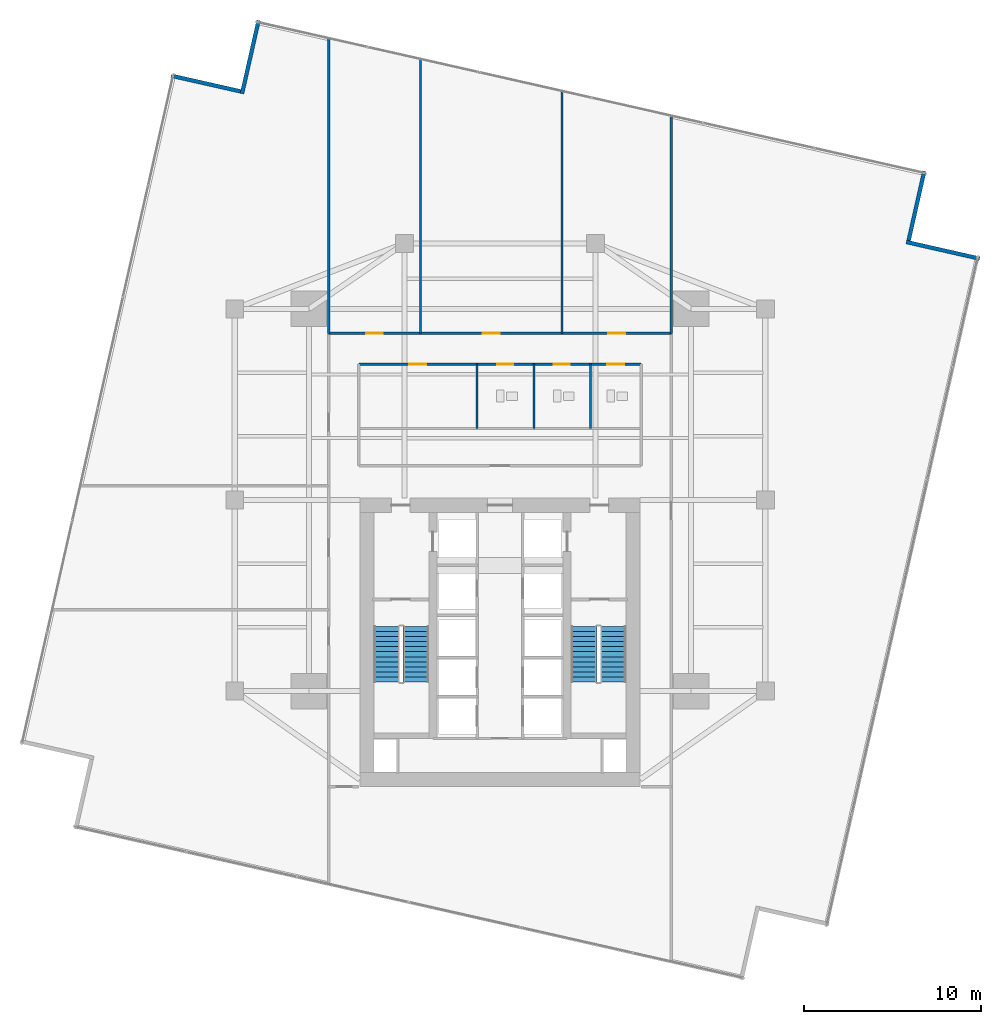
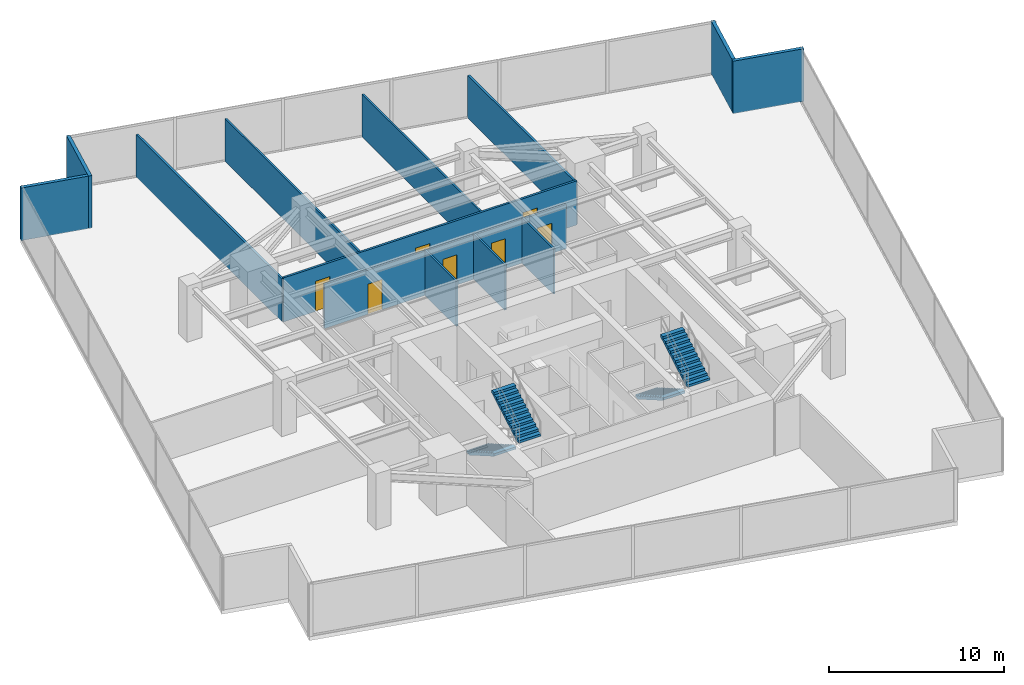
# One storey, part 24 of 27: 13 walls, 7 doors, 4 stair flights, 7 openings, 2 elements without a shape of their own.
"""IFC4 building model written with IfcOpenShell, lengths in metres."""

from ifc_helpers import new_model, si_unit, direction, frame, frame_2d, origin, place, context, subcontext, project, spatial, polyline, rectangle, outline, extrude, material, layer, layer_set, type_object, element, fill, aggregate, save


model = new_model("IFC4")

# Units and contexts
model_context = context("Model", 3, precision=1e-05, world=origin(), true_north=direction((0.0, 1.0)))
body_context = subcontext(model_context, "Body", "Model", "MODEL_VIEW")
ifc_project = project(units=[si_unit("LENGTHUNIT", "METRE"), si_unit("AREAUNIT", "SQUARE_METRE"), si_unit("VOLUMEUNIT", "CUBIC_METRE"), si_unit("PLANEANGLEUNIT", "RADIAN"), si_unit("MASSUNIT", "GRAM", prefix="KILO")], contexts=[model_context])

# Site, building, storey
site_placement = place(None, origin())
site = spatial("IfcSite", under=ifc_project, at=site_placement, CompositionType="ELEMENT")
building_placement = place(site_placement, origin())
building = spatial("IfcBuilding", under=site, at=building_placement, Name="Krantzveldt Concourse Tower", CompositionType="ELEMENT")
storey_placement = place(building_placement, frame((0.0, 0.0, 86.10009765625)))
storey = spatial("IfcBuildingStorey", under=building, at=storey_placement, Name="L20", CompositionType="ELEMENT", Elevation=86.10009765625)

# Walls
ifc_material_1 = material(Name="Anodised aluminium 6063-T6", Category="aluminium")
ifc_layer_1 = layer(ifc_material_1, 0.219970703125, Name="Anodised aluminium 6063-T6", Category="aluminium")
ifc_layer_set_1 = layer_set([ifc_layer_1], Name="Anodised aluminium 6063-T6 (WL-EXT-NOTCH220)")
wall_type_1 = type_object("IfcWallType", Name="WL-EXT-NOTCH220", PredefinedType="ELEMENTEDWALL", material=ifc_layer_set_1)
wall_1_placement = place(storey_placement, frame((21.335693359375, 49.7958984375, 0.0), z_axis=(0.0, 0.0, 1.0), x_axis=(-0.975349272951, 0.2206667074, 0.0)))
element("IfcWall", 1, at=wall_1_placement, inside=storey, type_object=wall_type_1, Name="EW-L20-NCH00", PredefinedType="ELEMENTEDWALL", context=body_context, shape_type="SweptSolid", body=[
    extrude(rectangle(XDim=4.02490234375, YDim=0.219970703125, at=frame_2d((2.012451171875, 0.0))), origin(), (0.0, 0.0, 1.0), 3.669921875),
])
wall_2_placement = place(storey_placement, frame((63.104736328125, 40.344482421875, 0.0), z_axis=(0.0, 0.0, 1.0), x_axis=(-0.975335262593, 0.220728624202, 0.0)))
element("IfcWall", 2, at=wall_2_placement, inside=storey, type_object=wall_type_1, Name="EW-L20-NCH08", PredefinedType="ELEMENTEDWALL", context=body_context, shape_type="SweptSolid", body=[
    extrude(rectangle(XDim=4.2451171875, YDim=0.219970703125, at=frame_2d((2.12255859375, 0.0))), origin(), (0.0, 0.0, 1.0), 3.669921875),
])
wall_3_placement = place(storey_placement, frame((59.095947265625, 41.364501953125, 0.0), z_axis=(0.0, 0.0, 1.0), x_axis=(0.220679762979, 0.975346319115, 0.0)))
element("IfcWall", 3, at=wall_3_placement, inside=storey, type_object=wall_type_1, Name="EW-L20-NCH09", PredefinedType="ELEMENTEDWALL", context=body_context, shape_type="SweptSolid", body=[
    extrude(rectangle(XDim=4.024658203125, YDim=0.219970703125, at=frame_2d((2.01220703125, 0.0))), origin(), (0.0, 0.0, 1.0), 3.669921875),
])
wall_4_placement = place(storey_placement, frame((22.35546875, 53.8046875, 0.0), z_axis=(0.0, 0.0, 1.0), x_axis=(-0.220673913812, -0.975347642517, 0.0)))
element("IfcWall", 4, at=wall_4_placement, inside=storey, type_object=wall_type_1, Name="EW-L20-NCH11", PredefinedType="ELEMENTEDWALL", context=body_context, shape_type="SweptSolid", body=[
    extrude(rectangle(XDim=4.2451171875, YDim=0.219970703125, at=frame_2d((2.12255859375, 0.0))), origin(), (0.0, 0.0, 1.0), 3.669921875),
])
ifc_material_2 = material(Name="Fire-rated gypsum plasterboard on steel stud", Category="steel")
ifc_layer_2 = layer(ifc_material_2, 0.1201171875, Name="Fire-rated gypsum plasterboard on steel stud", Category="steel")
ifc_layer_set_2 = layer_set([ifc_layer_2], Name="Fire-rated gypsum plasterboard on steel stud (WL-PART-120)")
wall_type_2 = type_object("IfcWallType", Name="WL-PART-120", PredefinedType="PARTITIONING", material=ifc_layer_set_2)
for number, where, z_axis, x_axis, name in (
    (5, (37.919921875, 30.739990234375, 0.0), (0.0, 0.0, 1.0), (0.0, 1.0, 0.0), "WP-L20-WCD1"),
    (6, (41.1201171875, 30.739990234375, 0.0), (0.0, 0.0, 1.0), (0.0, 1.0, 0.0), "WP-L20-WCD2"),
    (7, (34.699951171875, 30.739990234375, 0.0), (0.0, 0.0, 1.0), (0.0, 1.0, 0.0), "WP-L20-WCD3"),
):
    element("IfcWall", number, at=place(storey_placement, frame(where, z_axis=z_axis, x_axis=x_axis)), inside=storey, type_object=wall_type_2, Name=name, PredefinedType="PARTITIONING", context=body_context, shape_type="SweptSolid", body=[
        extrude(rectangle(XDim=3.639892578125, YDim=0.1201171875, at=frame_2d((1.81982421875, 0.0))), origin(), (0.0, 0.0, 1.0), 3.169921875),
    ])
wall_5_placement = place(storey_placement, frame((31.5, 36.1201171875, 0.0), z_axis=(0.0, 0.0, 1.0), x_axis=(0.0, 1.0, 0.0)))
element("IfcWall", 8, at=wall_5_placement, inside=storey, type_object=wall_type_2, Name="WP-L20-ND1", PredefinedType="PARTITIONING", context=body_context, shape_type="SweptSolid", body=[
    extrude(rectangle(XDim=15.497314453125, YDim=0.1201171875, at=frame_2d((7.74853515625, 0.0))), origin(), (0.0, 0.0, 1.0), 2.969970703125),
])
wall_6_placement = place(storey_placement, frame((39.5, 36.1201171875, 0.0), z_axis=(0.0, 0.0, 1.0), x_axis=(0.0, 1.0, 0.0)))
element("IfcWall", 9, at=wall_6_placement, inside=storey, type_object=wall_type_2, Name="WP-L20-ND2", PredefinedType="PARTITIONING", context=body_context, shape_type="SweptSolid", body=[
    extrude(rectangle(XDim=13.687255859375, YDim=0.1201171875, at=frame_2d((6.84375, 0.0))), origin(), (0.0, 0.0, 1.0), 2.969970703125),
])

# Wall, openings, doors
ifc_layer_3 = layer(ifc_material_2, 0.139892578125, Name="Fire-rated gypsum plasterboard on steel stud", Category="steel")
ifc_layer_set_3 = layer_set([ifc_layer_3], Name="Fire-rated gypsum plasterboard on steel stud (WL-PART-140)")
wall_type_3 = type_object("IfcWallType", Name="WL-PART-140", PredefinedType="PARTITIONING", material=ifc_layer_set_3)
wall_7_placement = place(storey_placement, frame((28.02001953125, 34.3798828125, 0.0), z_axis=(0.0, 0.0, 1.0), x_axis=(1.0, 0.0, 0.0)))
wall_7 = element("IfcWall", 10, at=wall_7_placement, inside=storey, type_object=wall_type_3, Name="WP-L20-ISLN", PredefinedType="PARTITIONING", context=body_context, shape_type="SweptSolid", body=[
    extrude(rectangle(XDim=15.9599609375, YDim=0.139892578125, at=frame_2d((7.97998046875, 0.0))), origin(), (0.0, 0.0, 1.0), 3.079833984375),
])
opening_1_placement = place(wall_7_placement, frame((7.830078125, 0.0, 0.0)))
opening_1 = element("IfcOpeningElement", 11, at=opening_1_placement, cuts=wall_7, Name="Opening D-IN090", PredefinedType="OPENING", context=body_context, shape_type="SweptSolid", body=[
    extrude(rectangle(XDim=0.89990234375, YDim=2.10009765625, at=frame_2d((0.449951171875, 1.050048828125))), frame((0.0, 0.080078125, 0.0), z_axis=(0.0, -1.0, 0.0), x_axis=(1.0, 0.0, 0.0)), (0.0, 0.0, 1.0), 0.159912109375),
])
opening_2_placement = place(wall_7_placement, frame((11.030029296875, 0.0, 0.0)))
opening_2 = element("IfcOpeningElement", 12, at=opening_2_placement, cuts=wall_7, Name="Opening D-IN090", PredefinedType="OPENING", context=body_context, shape_type="SweptSolid", body=[
    extrude(rectangle(XDim=0.89990234375, YDim=2.10009765625, at=frame_2d((0.449951171875, 1.050048828125))), frame((0.0, 0.080078125, 0.0), z_axis=(0.0, -1.0, 0.0), x_axis=(1.0, 0.0, 0.0)), (0.0, 0.0, 1.0), 0.159912109375),
])
opening_3_placement = place(wall_7_placement, frame((14.054931640625, 0.0, 0.0)))
opening_3 = element("IfcOpeningElement", 13, at=opening_3_placement, cuts=wall_7, Name="Opening D-IN095", PredefinedType="OPENING", context=body_context, shape_type="SweptSolid", body=[
    extrude(rectangle(XDim=0.949951171875, YDim=2.10009765625, at=frame_2d((0.47509765625, 1.050048828125))), frame((0.0, 0.080078125, 0.0), z_axis=(0.0, -1.0, 0.0), x_axis=(1.0, 0.0, 0.0)), (0.0, 0.0, 1.0), 0.159912109375),
])
opening_4_placement = place(wall_7_placement, frame((2.85498046875, 0.0, 0.0)))
opening_4 = element("IfcOpeningElement", 14, at=opening_4_placement, cuts=wall_7, Name="Opening D-IN095", PredefinedType="OPENING", context=body_context, shape_type="SweptSolid", body=[
    extrude(rectangle(XDim=0.949951171875, YDim=2.10009765625, at=frame_2d((0.47509765625, 1.050048828125))), frame((0.0, 0.080078125, 0.0), z_axis=(0.0, -1.0, 0.0), x_axis=(1.0, 0.0, 0.0)), (0.0, 0.0, 1.0), 0.159912109375),
])
ifc_material_3 = material(Name="Hardwood timber", Category="wood")
door_type_1 = type_object("IfcDoorType", Name="DR-INT-900", OperationType="SINGLE_SWING_LEFT", PredefinedType="DOOR", material=ifc_material_3)
door_1_placement = place(opening_1_placement, origin())
door_1 = element("IfcDoor", 15, at=door_1_placement, inside=storey, type_object=door_type_1, Name="DR-L20-WCM", OperationType="SINGLE_SWING_LEFT", OverallHeight=2.10009765625, OverallWidth=0.89990234375, PredefinedType="DOOR", context=body_context, shape_type="SweptSolid", body=[
    extrude(rectangle(XDim=0.89990234375, YDim=2.10009765625, at=frame_2d((0.449951171875, 1.050048828125))), frame((0.0, 0.02490234375, 0.0), z_axis=(0.0, -1.0, 0.0), x_axis=(1.0, 0.0, 0.0)), (0.0, 0.0, 1.0), 0.050048828125),
])
fill(opening_1, door_1)
door_2_placement = place(opening_2_placement, origin())
door_2 = element("IfcDoor", 16, at=door_2_placement, inside=storey, type_object=door_type_1, Name="DR-L20-WCF", OperationType="SINGLE_SWING_RIGHT", OverallHeight=2.10009765625, OverallWidth=0.89990234375, PredefinedType="DOOR", context=body_context, shape_type="SweptSolid", body=[
    extrude(rectangle(XDim=0.89990234375, YDim=2.10009765625, at=frame_2d((0.449951171875, 1.050048828125))), frame((0.0, 0.02490234375, 0.0), z_axis=(0.0, -1.0, 0.0), x_axis=(1.0, 0.0, 0.0)), (0.0, 0.0, 1.0), 0.050048828125),
])
fill(opening_2, door_2)
door_type_2 = type_object("IfcDoorType", Name="DR-INT-950", OperationType="SINGLE_SWING_LEFT", PredefinedType="DOOR", material=ifc_material_3)
door_3_placement = place(opening_3_placement, origin())
door_3 = element("IfcDoor", 17, at=door_3_placement, inside=storey, type_object=door_type_2, Name="DR-L20-WCA", OperationType="SINGLE_SWING_LEFT", OverallHeight=2.10009765625, OverallWidth=0.949951171875, PredefinedType="DOOR", context=body_context, shape_type="SweptSolid", body=[
    extrude(rectangle(XDim=0.949951171875, YDim=2.10009765625, at=frame_2d((0.47509765625, 1.050048828125))), frame((0.0, 0.02490234375, 0.0), z_axis=(0.0, -1.0, 0.0), x_axis=(1.0, 0.0, 0.0)), (0.0, 0.0, 1.0), 0.050048828125),
])
fill(opening_3, door_3)
door_4_placement = place(opening_4_placement, origin())
door_4 = element("IfcDoor", 18, at=door_4_placement, inside=storey, type_object=door_type_2, Name="DR-L20-PNT", OperationType="SINGLE_SWING_RIGHT", OverallHeight=2.10009765625, OverallWidth=0.949951171875, PredefinedType="DOOR", context=body_context, shape_type="SweptSolid", body=[
    extrude(rectangle(XDim=0.949951171875, YDim=2.10009765625, at=frame_2d((0.47509765625, 1.050048828125))), frame((0.0, 0.02490234375, 0.0), z_axis=(0.0, -1.0, 0.0), x_axis=(1.0, 0.0, 0.0)), (0.0, 0.0, 1.0), 0.050048828125),
])
fill(opening_4, door_4)

wall_8_placement = place(storey_placement, frame((26.320068359375, 36.1201171875, 0.0), z_axis=(0.0, 0.0, 1.0), x_axis=(1.0, 0.0, 0.0)))
wall_8 = element("IfcWall", 19, at=wall_8_placement, inside=storey, type_object=wall_type_3, Name="WP-L20-CTOP", PredefinedType="PARTITIONING", context=body_context, shape_type="SweptSolid", body=[
    extrude(rectangle(XDim=19.35986328125, YDim=0.139892578125, at=frame_2d((9.679931640625, 0.0))), origin(), (0.0, 0.0, 1.0), 3.079833984375),
])
opening_5_placement = place(wall_8_placement, frame((2.114990234375, 0.0, 0.0)))
opening_5 = element("IfcOpeningElement", 20, at=opening_5_placement, cuts=wall_8, Name="Opening D-IN095", PredefinedType="OPENING", context=body_context, shape_type="SweptSolid", body=[
    extrude(rectangle(XDim=0.949951171875, YDim=2.10009765625, at=frame_2d((0.47509765625, 1.050048828125))), frame((0.0, 0.080078125, 0.0), z_axis=(0.0, -1.0, 0.0), x_axis=(1.0, 0.0, 0.0)), (0.0, 0.0, 1.0), 0.159912109375),
])
opening_6_placement = place(wall_8_placement, frame((8.705078125, 0.0, 0.0)))
opening_6 = element("IfcOpeningElement", 21, at=opening_6_placement, cuts=wall_8, Name="Opening D-IN095", PredefinedType="OPENING", context=body_context, shape_type="SweptSolid", body=[
    extrude(rectangle(XDim=0.949951171875, YDim=2.10009765625, at=frame_2d((0.47509765625, 1.050048828125))), frame((0.0, 0.080078125, 0.0), z_axis=(0.0, -1.0, 0.0), x_axis=(1.0, 0.0, 0.0)), (0.0, 0.0, 1.0), 0.159912109375),
])
opening_7_placement = place(wall_8_placement, frame((15.794921875, 0.0, 0.0)))
opening_7 = element("IfcOpeningElement", 22, at=opening_7_placement, cuts=wall_8, Name="Opening D-IN095", PredefinedType="OPENING", context=body_context, shape_type="SweptSolid", body=[
    extrude(rectangle(XDim=0.949951171875, YDim=2.10009765625, at=frame_2d((0.47509765625, 1.050048828125))), frame((0.0, 0.080078125, 0.0), z_axis=(0.0, -1.0, 0.0), x_axis=(1.0, 0.0, 0.0)), (0.0, 0.0, 1.0), 0.159912109375),
])
door_5_placement = place(opening_5_placement, origin())
door_5 = element("IfcDoor", 23, at=door_5_placement, inside=storey, type_object=door_type_2, Name="DR-L20-NR1", OperationType="SINGLE_SWING_LEFT", OverallHeight=2.10009765625, OverallWidth=0.949951171875, PredefinedType="DOOR", context=body_context, shape_type="SweptSolid", body=[
    extrude(rectangle(XDim=0.949951171875, YDim=2.10009765625, at=frame_2d((0.47509765625, 1.050048828125))), frame((0.0, 0.02490234375, 0.0), z_axis=(0.0, -1.0, 0.0), x_axis=(1.0, 0.0, 0.0)), (0.0, 0.0, 1.0), 0.050048828125),
])
fill(opening_5, door_5)
door_6_placement = place(opening_6_placement, origin())
door_6 = element("IfcDoor", 24, at=door_6_placement, inside=storey, type_object=door_type_2, Name="DR-L20-NR2", OperationType="SINGLE_SWING_LEFT", OverallHeight=2.10009765625, OverallWidth=0.949951171875, PredefinedType="DOOR", context=body_context, shape_type="SweptSolid", body=[
    extrude(rectangle(XDim=0.949951171875, YDim=2.10009765625, at=frame_2d((0.47509765625, 1.050048828125))), frame((0.0, 0.02490234375, 0.0), z_axis=(0.0, -1.0, 0.0), x_axis=(1.0, 0.0, 0.0)), (0.0, 0.0, 1.0), 0.050048828125),
])
fill(opening_6, door_6)
door_7_placement = place(opening_7_placement, origin())
door_7 = element("IfcDoor", 25, at=door_7_placement, inside=storey, type_object=door_type_2, Name="DR-L20-NR3", OperationType="SINGLE_SWING_LEFT", OverallHeight=2.10009765625, OverallWidth=0.949951171875, PredefinedType="DOOR", context=body_context, shape_type="SweptSolid", body=[
    extrude(rectangle(XDim=0.949951171875, YDim=2.10009765625, at=frame_2d((0.47509765625, 1.050048828125))), frame((0.0, 0.02490234375, 0.0), z_axis=(0.0, -1.0, 0.0), x_axis=(1.0, 0.0, 0.0)), (0.0, 0.0, 1.0), 0.050048828125),
])
fill(opening_7, door_7)

# Walls
wall_9_placement = place(storey_placement, frame((26.320068359375, 36.1201171875, 0.0), z_axis=(0.0, 0.0, 1.0), x_axis=(0.0, 1.0, 0.0)))
element("IfcWall", 26, at=wall_9_placement, inside=storey, type_object=wall_type_3, Name="WP-L20-NWL", PredefinedType="PARTITIONING", context=body_context, shape_type="SweptSolid", body=[
    extrude(rectangle(XDim=16.669677734375, YDim=0.139892578125, at=frame_2d((8.3349609375, 0.0))), origin(), (0.0, 0.0, 1.0), 2.969970703125),
])
wall_10_placement = place(storey_placement, frame((45.679931640625, 36.1201171875, 0.0), z_axis=(0.0, 0.0, 1.0), x_axis=(0.0, 1.0, 0.0)))
element("IfcWall", 27, at=wall_10_placement, inside=storey, type_object=wall_type_3, Name="WP-L20-NER", PredefinedType="PARTITIONING", context=body_context, shape_type="SweptSolid", body=[
    extrude(rectangle(XDim=12.288818359375, YDim=0.139892578125, at=frame_2d((6.14453125, 0.0))), origin(), (0.0, 0.0, 1.0), 2.969970703125),
])

# Stair, stair flights
ifc_material_4 = material(Name="Precast concrete C40/50", Category="concrete")
stair_type = type_object("IfcStairType", Name="STR-CORE-DOGLEG", PredefinedType="HALF_TURN_STAIR", material=ifc_material_4)
stair_1_placement = place(storey_placement, origin())
stair_1 = element("IfcStair", 28, at=stair_1_placement, inside=storey, type_object=stair_type, Name="L20 Protected Escape Stair ST-1", PredefinedType="HALF_TURN_STAIR")
stair_flight_type = type_object("IfcStairFlightType", Name="STF-CORE-1450", PredefinedType="STRAIGHT", material=ifc_material_4)
stair_flight_1_placement = place(storey_placement, frame((29.60498046875, 19.550048828125, 0.0), z_axis=(0.0, 0.0, 1.0), x_axis=(0.0, -1.0, 0.0)))
stair_flight_1 = element("IfcStairFlight", 29, at=stair_flight_1_placement, type_object=stair_flight_type, Name="ST-1 flight 1", NumberOfRisers=12, NumberOfTreads=11, PredefinedType="STRAIGHT", RiserHeight=0.164583333, TreadLength=0.285, context=body_context, shape_type="SweptSolid", body=[
    extrude(outline(polyline([(0.0, 0.0), (0.0, 0.16455078125), (0.284912109375, 0.16455078125), (0.284912109375, 0.3291015625), (0.570068359375, 0.3291015625), (0.570068359375, 0.49365234375), (0.85498046875, 0.49365234375), (0.85498046875, 0.658447265625), (1.139892578125, 0.658447265625), (1.139892578125, 0.822998046875), (1.425048828125, 0.822998046875), (1.425048828125, 0.987548828125), (1.7099609375, 0.987548828125), (1.7099609375, 1.152099609375), (1.9951171875, 1.152099609375), (1.9951171875, 1.316650390625), (2.280029296875, 1.316650390625), (2.280029296875, 1.481201171875), (2.56494140625, 1.481201171875), (2.56494140625, 1.645751953125), (2.85009765625, 1.645751953125), (2.85009765625, 1.810302734375), (3.135009765625, 1.810302734375), (3.135009765625, 1.97509765625), (3.135009765625, 1.63720703125), (0.2998046875, 0.0), (0.0, 0.0)])), frame((0.0, 0.72509765625, 0.0), z_axis=(0.0, -1.0, 0.0), x_axis=(1.0, 0.0, 0.0)), (0.0, 0.0, 1.0), 1.449951171875),
])
stair_flight_2_placement = place(storey_placement, frame((31.2548828125, 16.4150390625, 1.974853515625), z_axis=(0.0, 0.0, 1.0), x_axis=(0.0, 1.0, 0.0)))
stair_flight_2 = element("IfcStairFlight", 30, at=stair_flight_2_placement, type_object=stair_flight_type, Name="ST-1 flight 2", NumberOfRisers=12, NumberOfTreads=11, PredefinedType="STRAIGHT", RiserHeight=0.164583333, TreadLength=0.285, context=body_context, shape_type="SweptSolid", body=[
    extrude(outline(polyline([(0.0, 0.0), (0.0, 0.16455078125), (0.284912109375, 0.16455078125), (0.284912109375, 0.3291015625), (0.570068359375, 0.3291015625), (0.570068359375, 0.49365234375), (0.85498046875, 0.49365234375), (0.85498046875, 0.658447265625), (1.139892578125, 0.658447265625), (1.139892578125, 0.822998046875), (1.425048828125, 0.822998046875), (1.425048828125, 0.987548828125), (1.7099609375, 0.987548828125), (1.7099609375, 1.152099609375), (1.9951171875, 1.152099609375), (1.9951171875, 1.316650390625), (2.280029296875, 1.316650390625), (2.280029296875, 1.481201171875), (2.56494140625, 1.481201171875), (2.56494140625, 1.645751953125), (2.85009765625, 1.645751953125), (2.85009765625, 1.810302734375), (3.135009765625, 1.810302734375), (3.135009765625, 1.97509765625), (3.135009765625, 1.63720703125), (0.2998046875, 0.0), (0.0, 0.0)])), frame((0.0, 0.72509765625, 0.0), z_axis=(0.0, -1.0, 0.0), x_axis=(1.0, 0.0, 0.0)), (0.0, 0.0, 1.0), 1.449951171875),
])
aggregate(stair_1, [stair_flight_1, stair_flight_2])

stair_2_placement = place(storey_placement, origin())
stair_2 = element("IfcStair", 31, at=stair_2_placement, inside=storey, type_object=stair_type, Name="L20 Protected Escape Stair ST-2", PredefinedType="HALF_TURN_STAIR")
stair_flight_3_placement = place(storey_placement, frame((40.7451171875, 19.550048828125, 0.0), z_axis=(0.0, 0.0, 1.0), x_axis=(0.0, -1.0, 0.0)))
stair_flight_3 = element("IfcStairFlight", 32, at=stair_flight_3_placement, type_object=stair_flight_type, Name="ST-2 flight 1", NumberOfRisers=12, NumberOfTreads=11, PredefinedType="STRAIGHT", RiserHeight=0.164583333, TreadLength=0.285, context=body_context, shape_type="SweptSolid", body=[
    extrude(outline(polyline([(0.0, 0.0), (0.0, 0.16455078125), (0.284912109375, 0.16455078125), (0.284912109375, 0.3291015625), (0.570068359375, 0.3291015625), (0.570068359375, 0.49365234375), (0.85498046875, 0.49365234375), (0.85498046875, 0.658447265625), (1.139892578125, 0.658447265625), (1.139892578125, 0.822998046875), (1.425048828125, 0.822998046875), (1.425048828125, 0.987548828125), (1.7099609375, 0.987548828125), (1.7099609375, 1.152099609375), (1.9951171875, 1.152099609375), (1.9951171875, 1.316650390625), (2.280029296875, 1.316650390625), (2.280029296875, 1.481201171875), (2.56494140625, 1.481201171875), (2.56494140625, 1.645751953125), (2.85009765625, 1.645751953125), (2.85009765625, 1.810302734375), (3.135009765625, 1.810302734375), (3.135009765625, 1.97509765625), (3.135009765625, 1.63720703125), (0.2998046875, 0.0), (0.0, 0.0)])), frame((0.0, 0.72509765625, 0.0), z_axis=(0.0, -1.0, 0.0), x_axis=(1.0, 0.0, 0.0)), (0.0, 0.0, 1.0), 1.449951171875),
])
stair_flight_4_placement = place(storey_placement, frame((42.39501953125, 16.4150390625, 1.974853515625), z_axis=(0.0, 0.0, 1.0), x_axis=(0.0, 1.0, 0.0)))
stair_flight_4 = element("IfcStairFlight", 33, at=stair_flight_4_placement, type_object=stair_flight_type, Name="ST-2 flight 2", NumberOfRisers=12, NumberOfTreads=11, PredefinedType="STRAIGHT", RiserHeight=0.164583333, TreadLength=0.285, context=body_context, shape_type="SweptSolid", body=[
    extrude(outline(polyline([(0.0, 0.0), (0.0, 0.16455078125), (0.284912109375, 0.16455078125), (0.284912109375, 0.3291015625), (0.570068359375, 0.3291015625), (0.570068359375, 0.49365234375), (0.85498046875, 0.49365234375), (0.85498046875, 0.658447265625), (1.139892578125, 0.658447265625), (1.139892578125, 0.822998046875), (1.425048828125, 0.822998046875), (1.425048828125, 0.987548828125), (1.7099609375, 0.987548828125), (1.7099609375, 1.152099609375), (1.9951171875, 1.152099609375), (1.9951171875, 1.316650390625), (2.280029296875, 1.316650390625), (2.280029296875, 1.481201171875), (2.56494140625, 1.481201171875), (2.56494140625, 1.645751953125), (2.85009765625, 1.645751953125), (2.85009765625, 1.810302734375), (3.135009765625, 1.810302734375), (3.135009765625, 1.97509765625), (3.135009765625, 1.63720703125), (0.2998046875, 0.0), (0.0, 0.0)])), frame((0.0, 0.72509765625, 0.0), z_axis=(0.0, -1.0, 0.0), x_axis=(1.0, 0.0, 0.0)), (0.0, 0.0, 1.0), 1.449951171875),
])
aggregate(stair_2, [stair_flight_3, stair_flight_4])

save(model, "model.ifc")
